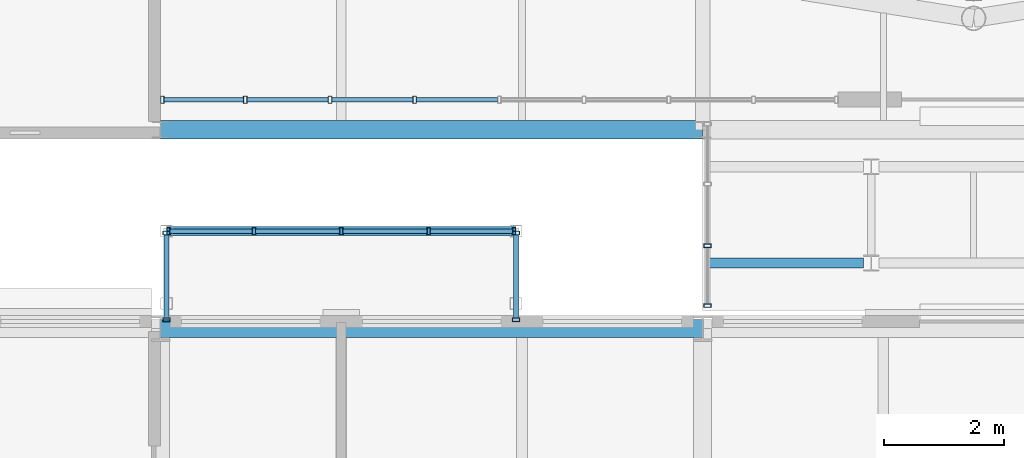
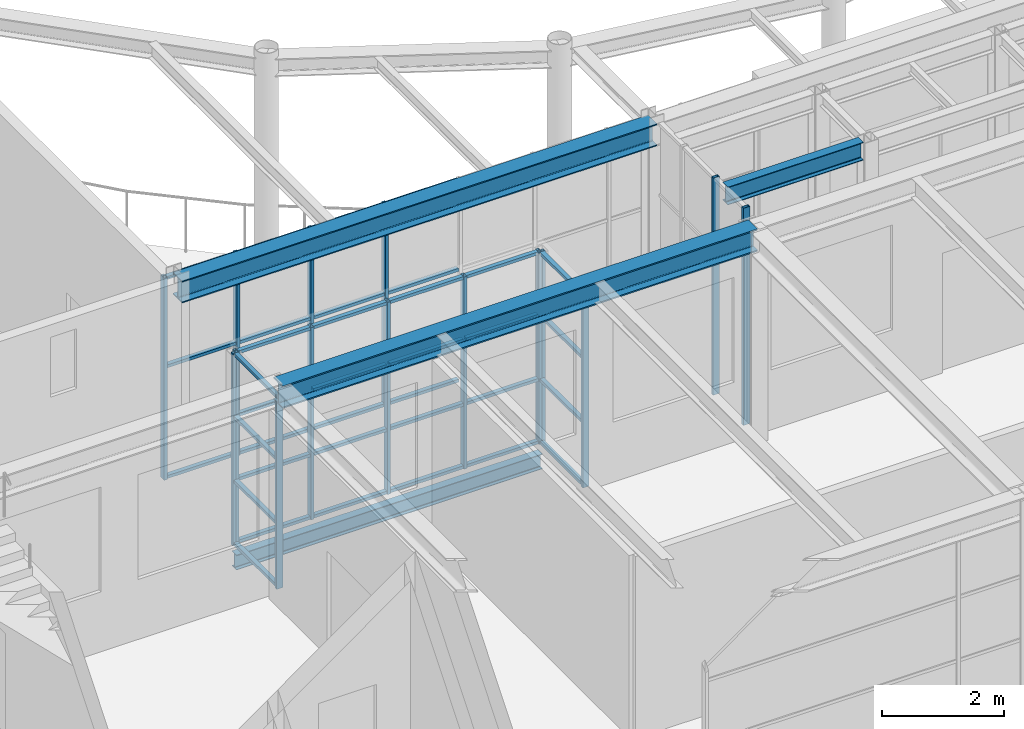
# One storey, part 26 of 70: 51 members, 4 beams, 5 elements without a shape of their own.
"""IFC4 building model written with IfcOpenShell, lengths in metres."""

from ifc_helpers import new_model, si_unit, direction, frame, origin, origin_2d, place, context, subcontext, project, spatial, hollow_rectangle, i_section, extrude, material, layer, layer_set, material_profile, profile_set, type_object, element, aggregate, save


model = new_model("IFC4")

# Units and contexts
model_context = context("Model", 3, precision=1e-05, world=origin(), true_north=direction((0.0, 1.0)))
body_context = subcontext(model_context, "Body", "Model", "MODEL_VIEW")
ifc_project = project(units=[si_unit("LENGTHUNIT", "METRE"), si_unit("AREAUNIT", "SQUARE_METRE"), si_unit("VOLUMEUNIT", "CUBIC_METRE"), si_unit("PLANEANGLEUNIT", "RADIAN"), si_unit("MASSUNIT", "GRAM", prefix="KILO")], contexts=[model_context])

# Site, building, storey
site_placement = place(None, origin())
site = spatial("IfcSite", under=ifc_project, at=site_placement, CompositionType="ELEMENT")
building_placement = place(site_placement, origin())
building = spatial("IfcBuilding", under=site, at=building_placement, Name="Kallimachos Central Library", CompositionType="ELEMENT")
storey_placement = place(building_placement, frame((0.0, 0.0, 18.89990234375)))
storey = spatial("IfcBuildingStorey", under=building, at=storey_placement, Name="L04", CompositionType="ELEMENT", Elevation=18.89990234375)

# Curtain wall, members
ifc_material_1 = material(Name="Aluminium and laminated glass", Category="aluminium")
curtain_wall_type_1 = type_object("IfcCurtainWallType", Name="Link glazed wall", PredefinedType="NOTDEFINED", material=ifc_material_1)
curtain_wall_1_placement = place(storey_placement, origin())
curtain_wall_1 = element("IfcCurtainWall", 1, at=curtain_wall_1_placement, inside=storey, type_object=curtain_wall_type_1, Name="Reading Link glazed wall L04", PredefinedType="NOTDEFINED")
ifc_material_2 = material(Name="Anodised aluminium", Category="aluminium")
ifc_material_profile_1 = material_profile(ifc_material_2, hollow_rectangle(XDim=0.06005859375, YDim=0.1201171875, WallThickness=0.00390625, at=origin_2d()), Name="ALU MULLION 60x120")
ifc_profile_set_1 = profile_set([ifc_material_profile_1], Name="Anodised aluminium")
member_type_1 = type_object("IfcMemberType", Name="ALU MULLION 60x120 mullion", PredefinedType="MULLION", material=ifc_profile_set_1)
member_1_placement = place(storey_placement, frame((83.580078125, 84.22998046875, 0.0), z_axis=(0.0, 0.0, 1.0), x_axis=(0.0, 1.0, 0.0)))
member_1 = element("IfcMember", 2, at=member_1_placement, type_object=member_type_1, Name="CW70 mullion 1", PredefinedType="MULLION", context=body_context, shape_type="SweptSolid", body=[
    extrude(hollow_rectangle(XDim=0.06005859375, YDim=0.1201171875, WallThickness=0.00390625, at=origin_2d()), origin(), (0.0, 0.0, 1.0), 4.35009765625),
])
member_2_placement = place(storey_placement, frame((83.580078125, 85.22509765625, 0.0), z_axis=(0.0, 0.0, 1.0), x_axis=(0.0, 1.0, 0.0)))
member_2 = element("IfcMember", 3, at=member_2_placement, type_object=member_type_1, Name="CW70 mullion 2", PredefinedType="MULLION", context=body_context, shape_type="SweptSolid", body=[
    extrude(hollow_rectangle(XDim=0.06005859375, YDim=0.1201171875, WallThickness=0.00390625, at=origin_2d()), origin(), (0.0, 0.0, 1.0), 4.35009765625),
])
aggregate(curtain_wall_1, [member_1, member_2])

ifc_material_3 = material(Name="Anodised aluminium and laminated glass", Category="aluminium")
ifc_layer = layer(ifc_material_3, 0.159912109375)
ifc_layer_set = layer_set([ifc_layer], Name="Glass box curtain wall")
curtain_wall_type_2 = type_object("IfcCurtainWallType", Name="Glass box curtain wall", PredefinedType="NOTDEFINED", material=ifc_layer_set)
curtain_wall_2_placement = place(storey_placement, origin())
curtain_wall_2 = element("IfcCurtainWall", 4, at=curtain_wall_2_placement, inside=storey, type_object=curtain_wall_type_2, Name="Glass box curtain wall S L04", PredefinedType="NOTDEFINED")
ifc_material_4 = material(Name="Anodised aluminium", Category="aluminium")
ifc_material_profile_2 = material_profile(ifc_material_4, hollow_rectangle(XDim=0.06005859375, YDim=0.1201171875, WallThickness=0.00390625, at=origin_2d()), Name="ALU MULLION 60x120")
ifc_profile_set_2 = profile_set([ifc_material_profile_2], Name="Anodised aluminium")
member_type_2 = type_object("IfcMemberType", Name="Glass box mullion 60x120", PredefinedType="MULLION", material=ifc_profile_set_2)
member_3_placement = place(storey_placement, frame((74.530029296875, 87.64990234375, 0.0), z_axis=(0.0, 0.0, 1.0), x_axis=(1.0, 0.0, 0.0)))
member_3 = element("IfcMember", 5, at=member_3_placement, type_object=member_type_2, Name="CW28 mullion 1", PredefinedType="MULLION", context=body_context, shape_type="SweptSolid", body=[
    extrude(hollow_rectangle(XDim=0.06005859375, YDim=0.1201171875, WallThickness=0.00390625, at=origin_2d()), origin(), (0.0, 0.0, 1.0), 4.050048828125),
])
member_4_placement = place(storey_placement, frame((75.90625, 87.64990234375, 0.0), z_axis=(0.0, 0.0, 1.0), x_axis=(1.0, 0.0, 0.0)))
member_4 = element("IfcMember", 6, at=member_4_placement, type_object=member_type_2, Name="CW28 mullion 2", PredefinedType="MULLION", context=body_context, shape_type="SweptSolid", body=[
    extrude(hollow_rectangle(XDim=0.06005859375, YDim=0.1201171875, WallThickness=0.00390625, at=origin_2d()), origin(), (0.0, 0.0, 1.0), 4.050048828125),
])
member_5_placement = place(storey_placement, frame((77.3125, 87.64990234375, 0.0), z_axis=(0.0, 0.0, 1.0), x_axis=(1.0, 0.0, 0.0)))
member_5 = element("IfcMember", 7, at=member_5_placement, type_object=member_type_2, Name="CW28 mullion 3", PredefinedType="MULLION", context=body_context, shape_type="SweptSolid", body=[
    extrude(hollow_rectangle(XDim=0.06005859375, YDim=0.1201171875, WallThickness=0.00390625, at=origin_2d()), origin(), (0.0, 0.0, 1.0), 4.050048828125),
])
member_6_placement = place(storey_placement, frame((78.71875, 87.64990234375, 0.0), z_axis=(0.0, 0.0, 1.0), x_axis=(1.0, 0.0, 0.0)))
member_6 = element("IfcMember", 8, at=member_6_placement, type_object=member_type_2, Name="CW28 mullion 4", PredefinedType="MULLION", context=body_context, shape_type="SweptSolid", body=[
    extrude(hollow_rectangle(XDim=0.06005859375, YDim=0.1201171875, WallThickness=0.00390625, at=origin_2d()), origin(), (0.0, 0.0, 1.0), 4.050048828125),
])
ifc_material_5 = material(Name="Anodised aluminium", Category="aluminium")
ifc_material_profile_3 = material_profile(ifc_material_5, hollow_rectangle(XDim=0.06005859375, YDim=0.080078125, WallThickness=0.00390625, at=origin_2d()), Name="ALU TRANSOM 60x80")
ifc_profile_set_3 = profile_set([ifc_material_profile_3], Name="Anodised aluminium")
member_type_3 = type_object("IfcMemberType", Name="Glass box transom 60x80", PredefinedType="USERDEFINED", material=ifc_profile_set_3)
member_7_placement = place(storey_placement, frame((74.56005859375, 87.64990234375, 0.030029296875), z_axis=(1.0, 0.0, 0.0), x_axis=(0.0, 0.0, 1.0)))
member_7 = element("IfcMember", 9, at=member_7_placement, type_object=member_type_3, Name="CW28 transom 1.1", ObjectType="TRANSOM", PredefinedType="USERDEFINED", context=body_context, shape_type="SweptSolid", body=[
    extrude(hollow_rectangle(XDim=0.06005859375, YDim=0.080078125, WallThickness=0.00390625, at=origin_2d()), origin(), (0.0, 0.0, 1.0), 1.316162109375),
])
member_8_placement = place(storey_placement, frame((74.56005859375, 87.64990234375, 2.25), z_axis=(1.0, 0.0, 0.0), x_axis=(0.0, 0.0, 1.0)))
member_8 = element("IfcMember", 10, at=member_8_placement, type_object=member_type_3, Name="CW28 transom 1.2", ObjectType="TRANSOM", PredefinedType="USERDEFINED", context=body_context, shape_type="SweptSolid", body=[
    extrude(hollow_rectangle(XDim=0.06005859375, YDim=0.080078125, WallThickness=0.00390625, at=origin_2d()), origin(), (0.0, 0.0, 1.0), 1.316162109375),
])
member_9_placement = place(storey_placement, frame((74.56005859375, 87.64990234375, 4.02001953125), z_axis=(1.0, 0.0, 0.0), x_axis=(0.0, 0.0, 1.0)))
member_9 = element("IfcMember", 11, at=member_9_placement, type_object=member_type_3, Name="CW28 transom 1.3", ObjectType="TRANSOM", PredefinedType="USERDEFINED", context=body_context, shape_type="SweptSolid", body=[
    extrude(hollow_rectangle(XDim=0.06005859375, YDim=0.080078125, WallThickness=0.00390625, at=origin_2d()), origin(), (0.0, 0.0, 1.0), 1.316162109375),
])
member_10_placement = place(storey_placement, frame((75.936279296875, 87.64990234375, 0.030029296875), z_axis=(1.0, 0.0, 0.0), x_axis=(0.0, 0.0, 1.0)))
member_10 = element("IfcMember", 12, at=member_10_placement, type_object=member_type_3, Name="CW28 transom 2.1", ObjectType="TRANSOM", PredefinedType="USERDEFINED", context=body_context, shape_type="SweptSolid", body=[
    extrude(hollow_rectangle(XDim=0.06005859375, YDim=0.080078125, WallThickness=0.00390625, at=origin_2d()), origin(), (0.0, 0.0, 1.0), 1.34619140625),
])
member_11_placement = place(storey_placement, frame((75.936279296875, 87.64990234375, 2.25), z_axis=(1.0, 0.0, 0.0), x_axis=(0.0, 0.0, 1.0)))
member_11 = element("IfcMember", 13, at=member_11_placement, type_object=member_type_3, Name="CW28 transom 2.2", ObjectType="TRANSOM", PredefinedType="USERDEFINED", context=body_context, shape_type="SweptSolid", body=[
    extrude(hollow_rectangle(XDim=0.06005859375, YDim=0.080078125, WallThickness=0.00390625, at=origin_2d()), origin(), (0.0, 0.0, 1.0), 1.34619140625),
])
member_12_placement = place(storey_placement, frame((75.936279296875, 87.64990234375, 4.02001953125), z_axis=(1.0, 0.0, 0.0), x_axis=(0.0, 0.0, 1.0)))
member_12 = element("IfcMember", 14, at=member_12_placement, type_object=member_type_3, Name="CW28 transom 2.3", ObjectType="TRANSOM", PredefinedType="USERDEFINED", context=body_context, shape_type="SweptSolid", body=[
    extrude(hollow_rectangle(XDim=0.06005859375, YDim=0.080078125, WallThickness=0.00390625, at=origin_2d()), origin(), (0.0, 0.0, 1.0), 1.34619140625),
])
member_13_placement = place(storey_placement, frame((77.342529296875, 87.64990234375, 0.030029296875), z_axis=(1.0, 0.0, 0.0), x_axis=(0.0, 0.0, 1.0)))
member_13 = element("IfcMember", 15, at=member_13_placement, type_object=member_type_3, Name="CW28 transom 3.1", ObjectType="TRANSOM", PredefinedType="USERDEFINED", context=body_context, shape_type="SweptSolid", body=[
    extrude(hollow_rectangle(XDim=0.06005859375, YDim=0.080078125, WallThickness=0.00390625, at=origin_2d()), origin(), (0.0, 0.0, 1.0), 1.34619140625),
])
member_14_placement = place(storey_placement, frame((77.342529296875, 87.64990234375, 2.25), z_axis=(1.0, 0.0, 0.0), x_axis=(0.0, 0.0, 1.0)))
member_14 = element("IfcMember", 16, at=member_14_placement, type_object=member_type_3, Name="CW28 transom 3.2", ObjectType="TRANSOM", PredefinedType="USERDEFINED", context=body_context, shape_type="SweptSolid", body=[
    extrude(hollow_rectangle(XDim=0.06005859375, YDim=0.080078125, WallThickness=0.00390625, at=origin_2d()), origin(), (0.0, 0.0, 1.0), 1.34619140625),
])
member_15_placement = place(storey_placement, frame((77.342529296875, 87.64990234375, 4.02001953125), z_axis=(1.0, 0.0, 0.0), x_axis=(0.0, 0.0, 1.0)))
member_15 = element("IfcMember", 17, at=member_15_placement, type_object=member_type_3, Name="CW28 transom 3.3", ObjectType="TRANSOM", PredefinedType="USERDEFINED", context=body_context, shape_type="SweptSolid", body=[
    extrude(hollow_rectangle(XDim=0.06005859375, YDim=0.080078125, WallThickness=0.00390625, at=origin_2d()), origin(), (0.0, 0.0, 1.0), 1.34619140625),
])
member_16_placement = place(storey_placement, frame((78.748779296875, 87.64990234375, 0.030029296875), z_axis=(1.0, 0.0, 0.0), x_axis=(0.0, 0.0, 1.0)))
member_16 = element("IfcMember", 18, at=member_16_placement, type_object=member_type_3, Name="CW28 transom 4.1", ObjectType="TRANSOM", PredefinedType="USERDEFINED", context=body_context, shape_type="SweptSolid", body=[
    extrude(hollow_rectangle(XDim=0.06005859375, YDim=0.080078125, WallThickness=0.00390625, at=origin_2d()), origin(), (0.0, 0.0, 1.0), 1.34619140625),
])
member_17_placement = place(storey_placement, frame((78.748779296875, 87.64990234375, 2.25), z_axis=(1.0, 0.0, 0.0), x_axis=(0.0, 0.0, 1.0)))
member_17 = element("IfcMember", 19, at=member_17_placement, type_object=member_type_3, Name="CW28 transom 4.2", ObjectType="TRANSOM", PredefinedType="USERDEFINED", context=body_context, shape_type="SweptSolid", body=[
    extrude(hollow_rectangle(XDim=0.06005859375, YDim=0.080078125, WallThickness=0.00390625, at=origin_2d()), origin(), (0.0, 0.0, 1.0), 1.34619140625),
])
member_18_placement = place(storey_placement, frame((78.748779296875, 87.64990234375, 4.02001953125), z_axis=(1.0, 0.0, 0.0), x_axis=(0.0, 0.0, 1.0)))
member_18 = element("IfcMember", 20, at=member_18_placement, type_object=member_type_3, Name="CW28 transom 4.3", ObjectType="TRANSOM", PredefinedType="USERDEFINED", context=body_context, shape_type="SweptSolid", body=[
    extrude(hollow_rectangle(XDim=0.06005859375, YDim=0.080078125, WallThickness=0.00390625, at=origin_2d()), origin(), (0.0, 0.0, 1.0), 1.34619140625),
])
aggregate(curtain_wall_2, [member_3, member_4, member_5, member_6, member_7, member_8, member_9, member_10, member_11, member_12, member_13, member_14, member_15, member_16, member_17, member_18])

# Beams
ifc_material_6 = material(Name="Steel S355J2", Category="steel")
ifc_material_profile_4 = material_profile(ifc_material_6, i_section(OverallWidth=0.300048828125, OverallDepth=0.43994140625, WebThickness=0.011474609375, FlangeThickness=0.02099609375, FilletRadius=0.027099609375, at=origin_2d()), Name="HEA 450")
ifc_profile_set_4 = profile_set([ifc_material_profile_4], Name="Steel S355J2")
beam_type_1 = type_object("IfcBeamType", Name="HEA 450 beam", PredefinedType="BEAM", material=ifc_profile_set_4)
beam_1_placement = place(storey_placement, frame((74.5, 87.14990234375, 4.130126953125), z_axis=(1.0, 0.0, 0.0), x_axis=(0.0, 1.0, 0.0)))
element("IfcBeam", 21, at=beam_1_placement, inside=storey, type_object=beam_type_1, Name="V1-BEM-L04-039", PredefinedType="BEAM", context=body_context, shape_type="SweptSolid", body=[
    extrude(i_section(OverallWidth=0.300048828125, OverallDepth=0.43994140625, WebThickness=0.011474609375, FlangeThickness=0.02099609375, FilletRadius=0.027099609375, at=origin_2d()), origin(), (0.0, 0.0, 1.0), 9.0),
])
ifc_material_7 = material(Name="Steel S355J2", Category="steel")
ifc_material_profile_5 = material_profile(ifc_material_7, i_section(OverallWidth=0.300048828125, OverallDepth=0.449951171875, WebThickness=0.013916015625, FlangeThickness=0.02587890625, FilletRadius=0.027099609375, at=origin_2d()), Name="HEB 450")
ifc_profile_set_5 = profile_set([ifc_material_profile_5], Name="Steel S355J2")
beam_type_2 = type_object("IfcBeamType", Name="HEB 450 beam", PredefinedType="BEAM", material=ifc_profile_set_5)
beam_2_placement = place(storey_placement, frame((74.5, 83.85009765625, 4.025146484375), z_axis=(1.0, 0.0, 0.0), x_axis=(0.0, 1.0, 0.0)))
element("IfcBeam", 22, at=beam_2_placement, inside=storey, type_object=beam_type_2, Name="V4-BEM-L04-005", PredefinedType="BEAM", context=body_context, shape_type="SweptSolid", body=[
    extrude(i_section(OverallWidth=0.300048828125, OverallDepth=0.449951171875, WebThickness=0.013916015625, FlangeThickness=0.02587890625, FilletRadius=0.027099609375, at=origin_2d()), origin(), (0.0, 0.0, 1.0), 9.0),
])
ifc_material_8 = material(Name="Steel S355J2", Category="steel")
ifc_material_profile_6 = material_profile(ifc_material_8, i_section(OverallWidth=0.14990234375, OverallDepth=0.300048828125, WebThickness=0.007080078125, FlangeThickness=0.0107421875, FilletRadius=0.014892578125, at=origin_2d()), Name="IPE 300")
ifc_profile_set_6 = profile_set([ifc_material_profile_6], Name="Steel S355J2")
beam_type_3 = type_object("IfcBeamType", Name="IPE 300 beam", PredefinedType="BEAM", material=ifc_profile_set_6)
beam_3_placement = place(storey_placement, frame((74.60009765625, 85.466064453125, -0.349853515625), z_axis=(1.0, 0.0, 0.0), x_axis=(0.0, 1.0, 0.0)))
element("IfcBeam", 23, at=beam_3_placement, inside=storey, type_object=beam_type_3, Name="Tribune bay N1 edge beam L04", PredefinedType="BEAM", context=body_context, shape_type="SweptSolid", body=[
    extrude(i_section(OverallWidth=0.14990234375, OverallDepth=0.300048828125, WebThickness=0.007080078125, FlangeThickness=0.0107421875, FilletRadius=0.014892578125, at=origin_2d()), origin(), (0.0, 0.0, 1.0), 5.7998046875),
])
ifc_material_9 = material(Name="Steel S355J2", Category="steel")
ifc_material_profile_7 = material_profile(ifc_material_9, i_section(OverallWidth=0.169921875, OverallDepth=0.360107421875, WebThickness=0.008056640625, FlangeThickness=0.0126953125, FilletRadius=0.01806640625, at=origin_2d()), Name="IPE 360")
ifc_profile_set_7 = profile_set([ifc_material_profile_7], Name="Steel S355J2")
beam_type_4 = type_object("IfcBeamType", Name="IPE 360 beam", PredefinedType="BEAM", material=ifc_profile_set_7)
beam_4_placement = place(storey_placement, frame((83.60009765625, 84.9375, 4.170166015625), z_axis=(1.0, 0.0, 0.0), x_axis=(0.0, 1.0, 0.0)))
element("IfcBeam", 24, at=beam_4_placement, inside=storey, type_object=beam_type_4, Name="links-BEM-L04-001", PredefinedType="BEAM", context=body_context, shape_type="SweptSolid", body=[
    extrude(i_section(OverallWidth=0.169921875, OverallDepth=0.360107421875, WebThickness=0.008056640625, FlangeThickness=0.0126953125, FilletRadius=0.01806640625, at=origin_2d()), origin(), (0.0, 0.0, 1.0), 2.56982421875),
])

# Curtain wall, members
ifc_material_10 = material(Name="Aluminium and laminated glass", Category="aluminium")
curtain_wall_type_3 = type_object("IfcCurtainWallType", Name="Tribune bay glazed screen", PredefinedType="NOTDEFINED", material=ifc_material_10)
curtain_wall_3_placement = place(storey_placement, origin())
curtain_wall_3 = element("IfcCurtainWall", 25, at=curtain_wall_3_placement, inside=storey, type_object=curtain_wall_type_3, Name="Tribune bay N1 L04 front", PredefinedType="NOTDEFINED")
ifc_material_11 = material(Name="Anodised aluminium", Category="aluminium")
ifc_material_profile_8 = material_profile(ifc_material_11, hollow_rectangle(XDim=0.06005859375, YDim=0.1201171875, WallThickness=0.00390625, at=origin_2d()), Name="ALU MULLION 60x120")
ifc_profile_set_8 = profile_set([ifc_material_profile_8], Name="Anodised aluminium")
member_type_4 = type_object("IfcMemberType", Name="Tribune bay mullion", PredefinedType="MULLION", material=ifc_profile_set_8)
member_19_placement = place(storey_placement, frame((74.6298828125, 85.466064453125, 0.0), z_axis=(0.0, 0.0, 1.0), x_axis=(1.0, 0.0, 0.0)))
member_19 = element("IfcMember", 26, at=member_19_placement, type_object=member_type_4, Name="CW mullion 1", PredefinedType="MULLION", context=body_context, shape_type="SweptSolid", body=[
    extrude(hollow_rectangle(XDim=0.06005859375, YDim=0.1201171875, WallThickness=0.00390625, at=origin_2d()), origin(), (0.0, 0.0, 1.0), 3.85009765625),
])
member_20_placement = place(storey_placement, frame((76.050048828125, 85.466064453125, 0.0), z_axis=(0.0, 0.0, 1.0), x_axis=(1.0, 0.0, 0.0)))
member_20 = element("IfcMember", 27, at=member_20_placement, type_object=member_type_4, Name="CW mullion 2", PredefinedType="MULLION", context=body_context, shape_type="SweptSolid", body=[
    extrude(hollow_rectangle(XDim=0.06005859375, YDim=0.1201171875, WallThickness=0.00390625, at=origin_2d()), origin(), (0.0, 0.0, 1.0), 3.85009765625),
])
member_21_placement = place(storey_placement, frame((77.5, 85.466064453125, 0.0), z_axis=(0.0, 0.0, 1.0), x_axis=(1.0, 0.0, 0.0)))
member_21 = element("IfcMember", 28, at=member_21_placement, type_object=member_type_4, Name="CW mullion 3", PredefinedType="MULLION", context=body_context, shape_type="SweptSolid", body=[
    extrude(hollow_rectangle(XDim=0.06005859375, YDim=0.1201171875, WallThickness=0.00390625, at=origin_2d()), origin(), (0.0, 0.0, 1.0), 3.85009765625),
])
member_22_placement = place(storey_placement, frame((78.949951171875, 85.466064453125, 0.0), z_axis=(0.0, 0.0, 1.0), x_axis=(1.0, 0.0, 0.0)))
member_22 = element("IfcMember", 29, at=member_22_placement, type_object=member_type_4, Name="CW mullion 4", PredefinedType="MULLION", context=body_context, shape_type="SweptSolid", body=[
    extrude(hollow_rectangle(XDim=0.06005859375, YDim=0.1201171875, WallThickness=0.00390625, at=origin_2d()), origin(), (0.0, 0.0, 1.0), 3.85009765625),
])
member_23_placement = place(storey_placement, frame((80.3701171875, 85.466064453125, 0.0), z_axis=(0.0, 0.0, 1.0), x_axis=(1.0, 0.0, 0.0)))
member_23 = element("IfcMember", 30, at=member_23_placement, type_object=member_type_4, Name="CW mullion 5", PredefinedType="MULLION", context=body_context, shape_type="SweptSolid", body=[
    extrude(hollow_rectangle(XDim=0.06005859375, YDim=0.1201171875, WallThickness=0.00390625, at=origin_2d()), origin(), (0.0, 0.0, 1.0), 3.85009765625),
])

curtain_wall_4_placement = place(storey_placement, origin())
curtain_wall_4 = element("IfcCurtainWall", 31, at=curtain_wall_4_placement, inside=storey, type_object=curtain_wall_type_3, Name="Tribune bay N1 L04 return 1", PredefinedType="NOTDEFINED")
member_24_placement = place(storey_placement, frame((74.60009765625, 83.99609375, 0.0), z_axis=(0.0, 0.0, 1.0), x_axis=(0.0, 1.0, 0.0)))
member_24 = element("IfcMember", 32, at=member_24_placement, type_object=member_type_4, Name="CW mullion 1", PredefinedType="MULLION", context=body_context, shape_type="SweptSolid", body=[
    extrude(hollow_rectangle(XDim=0.06005859375, YDim=0.1201171875, WallThickness=0.00390625, at=origin_2d()), origin(), (0.0, 0.0, 1.0), 3.85009765625),
])
member_25_placement = place(storey_placement, frame((74.60009765625, 85.43603515625, 0.0), z_axis=(0.0, 0.0, 1.0), x_axis=(0.0, 1.0, 0.0)))
member_25 = element("IfcMember", 33, at=member_25_placement, type_object=member_type_4, Name="CW mullion 2", PredefinedType="MULLION", context=body_context, shape_type="SweptSolid", body=[
    extrude(hollow_rectangle(XDim=0.06005859375, YDim=0.1201171875, WallThickness=0.00390625, at=origin_2d()), origin(), (0.0, 0.0, 1.0), 3.85009765625),
])

curtain_wall_5_placement = place(storey_placement, origin())
curtain_wall_5 = element("IfcCurtainWall", 34, at=curtain_wall_5_placement, inside=storey, type_object=curtain_wall_type_3, Name="Tribune bay N1 L04 return 2", PredefinedType="NOTDEFINED")
member_26_placement = place(storey_placement, frame((80.39990234375, 83.99609375, 0.0), z_axis=(0.0, 0.0, 1.0), x_axis=(0.0, 1.0, 0.0)))
member_26 = element("IfcMember", 35, at=member_26_placement, type_object=member_type_4, Name="CW mullion 1", PredefinedType="MULLION", context=body_context, shape_type="SweptSolid", body=[
    extrude(hollow_rectangle(XDim=0.06005859375, YDim=0.1201171875, WallThickness=0.00390625, at=origin_2d()), origin(), (0.0, 0.0, 1.0), 3.85009765625),
])
member_27_placement = place(storey_placement, frame((80.39990234375, 85.43603515625, 0.0), z_axis=(0.0, 0.0, 1.0), x_axis=(0.0, 1.0, 0.0)))
member_27 = element("IfcMember", 36, at=member_27_placement, type_object=member_type_4, Name="CW mullion 2", PredefinedType="MULLION", context=body_context, shape_type="SweptSolid", body=[
    extrude(hollow_rectangle(XDim=0.06005859375, YDim=0.1201171875, WallThickness=0.00390625, at=origin_2d()), origin(), (0.0, 0.0, 1.0), 3.85009765625),
])

# Member
ifc_material_12 = material(Name="Anodised aluminium", Category="aluminium")
ifc_material_profile_9 = material_profile(ifc_material_12, hollow_rectangle(XDim=0.06005859375, YDim=0.080078125, WallThickness=0.00390625, at=origin_2d()), Name="ALU TRANSOM 60x80")
ifc_profile_set_9 = profile_set([ifc_material_profile_9], Name="Anodised aluminium")
member_type_5 = type_object("IfcMemberType", Name="Tribune bay transom", PredefinedType="USERDEFINED", material=ifc_profile_set_9)
member_28_placement = place(storey_placement, frame((74.659912109375, 85.466064453125, 0.030029296875), z_axis=(1.0, 0.0, 0.0), x_axis=(0.0, 0.0, 1.0)))
member_28 = element("IfcMember", 37, at=member_28_placement, type_object=member_type_5, Name="CW transom 1.1", ObjectType="TRANSOM", PredefinedType="USERDEFINED", context=body_context, shape_type="SweptSolid", body=[
    extrude(hollow_rectangle(XDim=0.06005859375, YDim=0.080078125, WallThickness=0.00390625, at=origin_2d()), origin(), (0.0, 0.0, 1.0), 1.360107421875),
])

member_29_placement = place(storey_placement, frame((74.659912109375, 85.466064453125, 1.283447265625), z_axis=(1.0, 0.0, 0.0), x_axis=(0.0, 0.0, 1.0)))
member_29 = element("IfcMember", 38, at=member_29_placement, type_object=member_type_5, Name="CW transom 1.2", ObjectType="TRANSOM", PredefinedType="USERDEFINED", context=body_context, shape_type="SweptSolid", body=[
    extrude(hollow_rectangle(XDim=0.06005859375, YDim=0.080078125, WallThickness=0.00390625, at=origin_2d()), origin(), (0.0, 0.0, 1.0), 1.360107421875),
])

member_30_placement = place(storey_placement, frame((74.659912109375, 85.466064453125, 2.566650390625), z_axis=(1.0, 0.0, 0.0), x_axis=(0.0, 0.0, 1.0)))
member_30 = element("IfcMember", 39, at=member_30_placement, type_object=member_type_5, Name="CW transom 1.3", ObjectType="TRANSOM", PredefinedType="USERDEFINED", context=body_context, shape_type="SweptSolid", body=[
    extrude(hollow_rectangle(XDim=0.06005859375, YDim=0.080078125, WallThickness=0.00390625, at=origin_2d()), origin(), (0.0, 0.0, 1.0), 1.360107421875),
])

member_31_placement = place(storey_placement, frame((74.659912109375, 85.466064453125, 3.820068359375), z_axis=(1.0, 0.0, 0.0), x_axis=(0.0, 0.0, 1.0)))
member_31 = element("IfcMember", 40, at=member_31_placement, type_object=member_type_5, Name="CW transom 1.4", ObjectType="TRANSOM", PredefinedType="USERDEFINED", context=body_context, shape_type="SweptSolid", body=[
    extrude(hollow_rectangle(XDim=0.06005859375, YDim=0.080078125, WallThickness=0.00390625, at=origin_2d()), origin(), (0.0, 0.0, 1.0), 1.360107421875),
])

member_32_placement = place(storey_placement, frame((76.080078125, 85.466064453125, 0.030029296875), z_axis=(1.0, 0.0, 0.0), x_axis=(0.0, 0.0, 1.0)))
member_32 = element("IfcMember", 41, at=member_32_placement, type_object=member_type_5, Name="CW transom 2.1", ObjectType="TRANSOM", PredefinedType="USERDEFINED", context=body_context, shape_type="SweptSolid", body=[
    extrude(hollow_rectangle(XDim=0.06005859375, YDim=0.080078125, WallThickness=0.00390625, at=origin_2d()), origin(), (0.0, 0.0, 1.0), 1.389892578125),
])

member_33_placement = place(storey_placement, frame((76.080078125, 85.466064453125, 1.283447265625), z_axis=(1.0, 0.0, 0.0), x_axis=(0.0, 0.0, 1.0)))
member_33 = element("IfcMember", 42, at=member_33_placement, type_object=member_type_5, Name="CW transom 2.2", ObjectType="TRANSOM", PredefinedType="USERDEFINED", context=body_context, shape_type="SweptSolid", body=[
    extrude(hollow_rectangle(XDim=0.06005859375, YDim=0.080078125, WallThickness=0.00390625, at=origin_2d()), origin(), (0.0, 0.0, 1.0), 1.389892578125),
])

member_34_placement = place(storey_placement, frame((76.080078125, 85.466064453125, 2.566650390625), z_axis=(1.0, 0.0, 0.0), x_axis=(0.0, 0.0, 1.0)))
member_34 = element("IfcMember", 43, at=member_34_placement, type_object=member_type_5, Name="CW transom 2.3", ObjectType="TRANSOM", PredefinedType="USERDEFINED", context=body_context, shape_type="SweptSolid", body=[
    extrude(hollow_rectangle(XDim=0.06005859375, YDim=0.080078125, WallThickness=0.00390625, at=origin_2d()), origin(), (0.0, 0.0, 1.0), 1.389892578125),
])

member_35_placement = place(storey_placement, frame((76.080078125, 85.466064453125, 3.820068359375), z_axis=(1.0, 0.0, 0.0), x_axis=(0.0, 0.0, 1.0)))
member_35 = element("IfcMember", 44, at=member_35_placement, type_object=member_type_5, Name="CW transom 2.4", ObjectType="TRANSOM", PredefinedType="USERDEFINED", context=body_context, shape_type="SweptSolid", body=[
    extrude(hollow_rectangle(XDim=0.06005859375, YDim=0.080078125, WallThickness=0.00390625, at=origin_2d()), origin(), (0.0, 0.0, 1.0), 1.389892578125),
])

member_36_placement = place(storey_placement, frame((77.530029296875, 85.466064453125, 0.030029296875), z_axis=(1.0, 0.0, 0.0), x_axis=(0.0, 0.0, 1.0)))
member_36 = element("IfcMember", 45, at=member_36_placement, type_object=member_type_5, Name="CW transom 3.1", ObjectType="TRANSOM", PredefinedType="USERDEFINED", context=body_context, shape_type="SweptSolid", body=[
    extrude(hollow_rectangle(XDim=0.06005859375, YDim=0.080078125, WallThickness=0.00390625, at=origin_2d()), origin(), (0.0, 0.0, 1.0), 1.389892578125),
])

member_37_placement = place(storey_placement, frame((77.530029296875, 85.466064453125, 1.283447265625), z_axis=(1.0, 0.0, 0.0), x_axis=(0.0, 0.0, 1.0)))
member_37 = element("IfcMember", 46, at=member_37_placement, type_object=member_type_5, Name="CW transom 3.2", ObjectType="TRANSOM", PredefinedType="USERDEFINED", context=body_context, shape_type="SweptSolid", body=[
    extrude(hollow_rectangle(XDim=0.06005859375, YDim=0.080078125, WallThickness=0.00390625, at=origin_2d()), origin(), (0.0, 0.0, 1.0), 1.389892578125),
])

member_38_placement = place(storey_placement, frame((77.530029296875, 85.466064453125, 2.566650390625), z_axis=(1.0, 0.0, 0.0), x_axis=(0.0, 0.0, 1.0)))
member_38 = element("IfcMember", 47, at=member_38_placement, type_object=member_type_5, Name="CW transom 3.3", ObjectType="TRANSOM", PredefinedType="USERDEFINED", context=body_context, shape_type="SweptSolid", body=[
    extrude(hollow_rectangle(XDim=0.06005859375, YDim=0.080078125, WallThickness=0.00390625, at=origin_2d()), origin(), (0.0, 0.0, 1.0), 1.389892578125),
])

member_39_placement = place(storey_placement, frame((77.530029296875, 85.466064453125, 3.820068359375), z_axis=(1.0, 0.0, 0.0), x_axis=(0.0, 0.0, 1.0)))
member_39 = element("IfcMember", 48, at=member_39_placement, type_object=member_type_5, Name="CW transom 3.4", ObjectType="TRANSOM", PredefinedType="USERDEFINED", context=body_context, shape_type="SweptSolid", body=[
    extrude(hollow_rectangle(XDim=0.06005859375, YDim=0.080078125, WallThickness=0.00390625, at=origin_2d()), origin(), (0.0, 0.0, 1.0), 1.389892578125),
])

member_40_placement = place(storey_placement, frame((78.97998046875, 85.466064453125, 0.030029296875), z_axis=(1.0, 0.0, 0.0), x_axis=(0.0, 0.0, 1.0)))
member_40 = element("IfcMember", 49, at=member_40_placement, type_object=member_type_5, Name="CW transom 4.1", ObjectType="TRANSOM", PredefinedType="USERDEFINED", context=body_context, shape_type="SweptSolid", body=[
    extrude(hollow_rectangle(XDim=0.06005859375, YDim=0.080078125, WallThickness=0.00390625, at=origin_2d()), origin(), (0.0, 0.0, 1.0), 1.360107421875),
])

member_41_placement = place(storey_placement, frame((78.97998046875, 85.466064453125, 1.283447265625), z_axis=(1.0, 0.0, 0.0), x_axis=(0.0, 0.0, 1.0)))
member_41 = element("IfcMember", 50, at=member_41_placement, type_object=member_type_5, Name="CW transom 4.2", ObjectType="TRANSOM", PredefinedType="USERDEFINED", context=body_context, shape_type="SweptSolid", body=[
    extrude(hollow_rectangle(XDim=0.06005859375, YDim=0.080078125, WallThickness=0.00390625, at=origin_2d()), origin(), (0.0, 0.0, 1.0), 1.360107421875),
])

member_42_placement = place(storey_placement, frame((78.97998046875, 85.466064453125, 2.566650390625), z_axis=(1.0, 0.0, 0.0), x_axis=(0.0, 0.0, 1.0)))
member_42 = element("IfcMember", 51, at=member_42_placement, type_object=member_type_5, Name="CW transom 4.3", ObjectType="TRANSOM", PredefinedType="USERDEFINED", context=body_context, shape_type="SweptSolid", body=[
    extrude(hollow_rectangle(XDim=0.06005859375, YDim=0.080078125, WallThickness=0.00390625, at=origin_2d()), origin(), (0.0, 0.0, 1.0), 1.360107421875),
])

member_43_placement = place(storey_placement, frame((78.97998046875, 85.466064453125, 3.820068359375), z_axis=(1.0, 0.0, 0.0), x_axis=(0.0, 0.0, 1.0)))
member_43 = element("IfcMember", 52, at=member_43_placement, type_object=member_type_5, Name="CW transom 4.4", ObjectType="TRANSOM", PredefinedType="USERDEFINED", context=body_context, shape_type="SweptSolid", body=[
    extrude(hollow_rectangle(XDim=0.06005859375, YDim=0.080078125, WallThickness=0.00390625, at=origin_2d()), origin(), (0.0, 0.0, 1.0), 1.360107421875),
])

aggregate(curtain_wall_3, [member_19, member_20, member_21, member_22, member_23, member_28, member_29, member_30, member_31, member_32, member_33, member_34, member_35, member_36, member_37, member_38, member_39, member_40, member_41, member_42, member_43])

member_44_placement = place(storey_placement, frame((74.60009765625, 84.02587890625, 0.030029296875), z_axis=(0.0, 1.0, 0.0), x_axis=(0.0, 0.0, 1.0)))
member_44 = element("IfcMember", 53, at=member_44_placement, type_object=member_type_5, Name="CW transom 1.1", ObjectType="TRANSOM", PredefinedType="USERDEFINED", context=body_context, shape_type="SweptSolid", body=[
    extrude(hollow_rectangle(XDim=0.06005859375, YDim=0.080078125, WallThickness=0.00390625, at=origin_2d()), origin(), (0.0, 0.0, 1.0), 1.380126953125),
])

member_45_placement = place(storey_placement, frame((74.60009765625, 84.02587890625, 1.283447265625), z_axis=(0.0, 1.0, 0.0), x_axis=(0.0, 0.0, 1.0)))
member_45 = element("IfcMember", 54, at=member_45_placement, type_object=member_type_5, Name="CW transom 1.2", ObjectType="TRANSOM", PredefinedType="USERDEFINED", context=body_context, shape_type="SweptSolid", body=[
    extrude(hollow_rectangle(XDim=0.06005859375, YDim=0.080078125, WallThickness=0.00390625, at=origin_2d()), origin(), (0.0, 0.0, 1.0), 1.380126953125),
])

member_46_placement = place(storey_placement, frame((74.60009765625, 84.02587890625, 2.566650390625), z_axis=(0.0, 1.0, 0.0), x_axis=(0.0, 0.0, 1.0)))
member_46 = element("IfcMember", 55, at=member_46_placement, type_object=member_type_5, Name="CW transom 1.3", ObjectType="TRANSOM", PredefinedType="USERDEFINED", context=body_context, shape_type="SweptSolid", body=[
    extrude(hollow_rectangle(XDim=0.06005859375, YDim=0.080078125, WallThickness=0.00390625, at=origin_2d()), origin(), (0.0, 0.0, 1.0), 1.380126953125),
])

member_47_placement = place(storey_placement, frame((74.60009765625, 84.02587890625, 3.820068359375), z_axis=(0.0, 1.0, 0.0), x_axis=(0.0, 0.0, 1.0)))
member_47 = element("IfcMember", 56, at=member_47_placement, type_object=member_type_5, Name="CW transom 1.4", ObjectType="TRANSOM", PredefinedType="USERDEFINED", context=body_context, shape_type="SweptSolid", body=[
    extrude(hollow_rectangle(XDim=0.06005859375, YDim=0.080078125, WallThickness=0.00390625, at=origin_2d()), origin(), (0.0, 0.0, 1.0), 1.380126953125),
])

aggregate(curtain_wall_4, [member_24, member_25, member_44, member_45, member_46, member_47])

member_48_placement = place(storey_placement, frame((80.39990234375, 84.02587890625, 0.030029296875), z_axis=(0.0, 1.0, 0.0), x_axis=(0.0, 0.0, 1.0)))
member_48 = element("IfcMember", 57, at=member_48_placement, type_object=member_type_5, Name="CW transom 1.1", ObjectType="TRANSOM", PredefinedType="USERDEFINED", context=body_context, shape_type="SweptSolid", body=[
    extrude(hollow_rectangle(XDim=0.06005859375, YDim=0.080078125, WallThickness=0.00390625, at=origin_2d()), origin(), (0.0, 0.0, 1.0), 1.380126953125),
])

member_49_placement = place(storey_placement, frame((80.39990234375, 84.02587890625, 1.283447265625), z_axis=(0.0, 1.0, 0.0), x_axis=(0.0, 0.0, 1.0)))
member_49 = element("IfcMember", 58, at=member_49_placement, type_object=member_type_5, Name="CW transom 1.2", ObjectType="TRANSOM", PredefinedType="USERDEFINED", context=body_context, shape_type="SweptSolid", body=[
    extrude(hollow_rectangle(XDim=0.06005859375, YDim=0.080078125, WallThickness=0.00390625, at=origin_2d()), origin(), (0.0, 0.0, 1.0), 1.380126953125),
])

member_50_placement = place(storey_placement, frame((80.39990234375, 84.02587890625, 2.566650390625), z_axis=(0.0, 1.0, 0.0), x_axis=(0.0, 0.0, 1.0)))
member_50 = element("IfcMember", 59, at=member_50_placement, type_object=member_type_5, Name="CW transom 1.3", ObjectType="TRANSOM", PredefinedType="USERDEFINED", context=body_context, shape_type="SweptSolid", body=[
    extrude(hollow_rectangle(XDim=0.06005859375, YDim=0.080078125, WallThickness=0.00390625, at=origin_2d()), origin(), (0.0, 0.0, 1.0), 1.380126953125),
])

member_51_placement = place(storey_placement, frame((80.39990234375, 84.02587890625, 3.820068359375), z_axis=(0.0, 1.0, 0.0), x_axis=(0.0, 0.0, 1.0)))
member_51 = element("IfcMember", 60, at=member_51_placement, type_object=member_type_5, Name="CW transom 1.4", ObjectType="TRANSOM", PredefinedType="USERDEFINED", context=body_context, shape_type="SweptSolid", body=[
    extrude(hollow_rectangle(XDim=0.06005859375, YDim=0.080078125, WallThickness=0.00390625, at=origin_2d()), origin(), (0.0, 0.0, 1.0), 1.380126953125),
])

aggregate(curtain_wall_5, [member_26, member_27, member_48, member_49, member_50, member_51])

save(model, "model.ifc")
